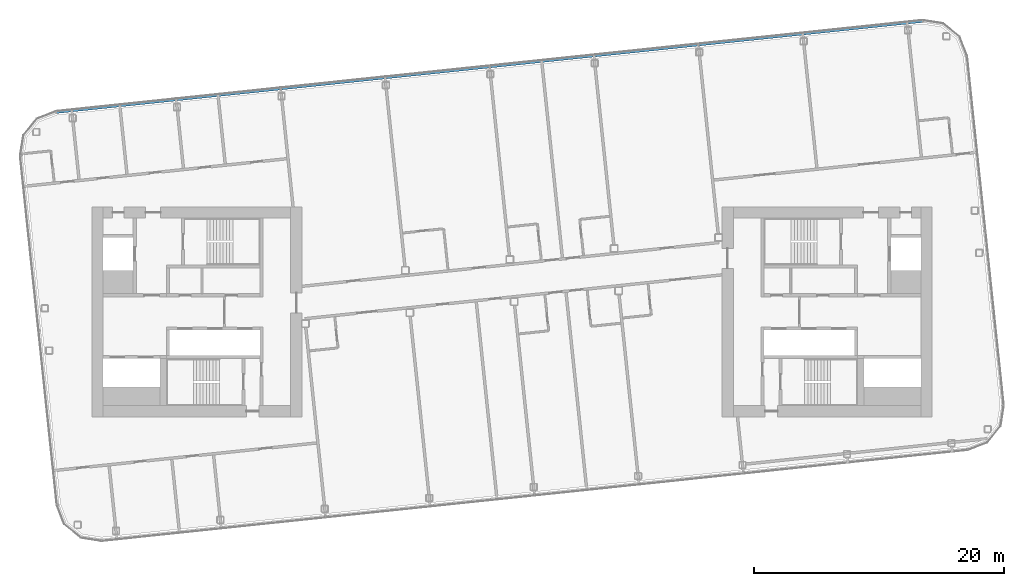
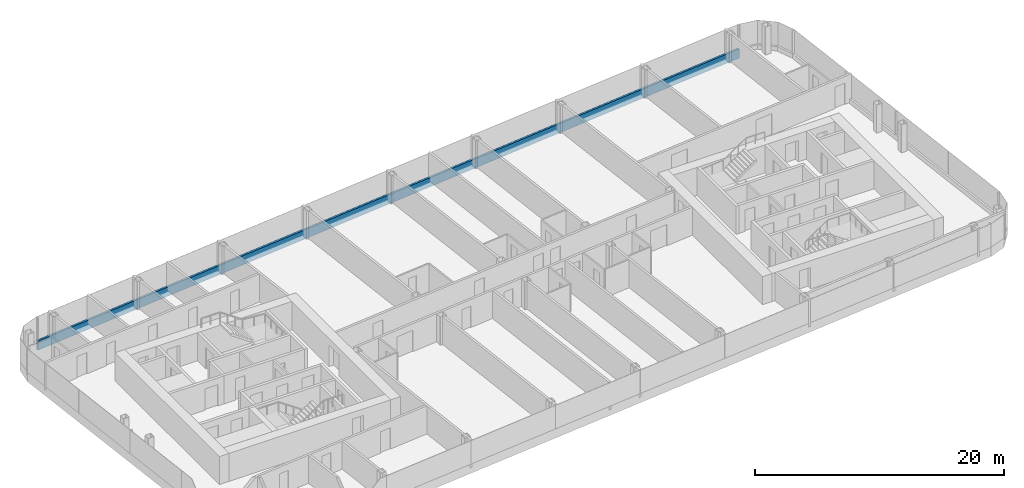
# One storey, part 10 of 27: 1 member, 1 element without a shape of its own.
"""IFC4 building model written with IfcOpenShell, lengths in metres."""

import ifcopenshell
import ifcopenshell.guid

model = None  # the IFC model being written
_history = None  # IfcOwnerHistory: only IFC2X3 demands one
_inside = {}  # id of a spatial element -> (the spatial element, [elements in it])
_under = {}  # id of a project, library or spatial element -> (it, [spatial elements below it])
_declared = {}  # id of a project -> (the project, [libraries it declares])
_typed = {}  # id of a type object -> (the type object, [elements of that type])
_made_of = {}  # id of a material, layer set ... -> (it, [elements and type objects made of it])


def new_model(schema):
    """Start an empty IFC model of exactly this schema.

    Asked for "IFC4X3", IfcOpenShell would pick the latest addendum, in which some entities
    have other attributes; the version numbers below select the first issue.
    IFC2X3 requires an IfcOwnerHistory on every rooted entity: one is made here for all.
    """
    global model, _history
    if schema == "IFC4X3":
        model = ifcopenshell.file(schema_version=(4, 3, 0, 0))
    else:
        model = ifcopenshell.file(schema=schema)
    _inside.clear()
    _under.clear()
    _declared.clear()
    _typed.clear()
    _made_of.clear()
    _history = None
    if model.schema == "IFC2X3":
        org = make("IfcOrganization", Name="unknown")
        user = make(
            "IfcPersonAndOrganization",
            ThePerson=make("IfcPerson", FamilyName="unknown"),
            TheOrganization=org,
        )
        app = make(
            "IfcApplication",
            ApplicationDeveloper=org,
            Version="unknown",
            ApplicationFullName="unknown",
            ApplicationIdentifier="unknown",
        )
        _history = make(
            "IfcOwnerHistory",
            OwningUser=user,
            OwningApplication=app,
            ChangeAction="ADDED",
            CreationDate=0,
        )
    return model


def make(cls, **values):
    """One entity of the class cls with the attributes given. An attribute that is None is left unset."""
    return model.create_entity(
        cls, **{name: value for name, value in values.items() if value is not None}
    )


def rooted(cls, **values):
    """An entity with a GlobalId (a new one), such as an element, a storey or a relation."""
    return make(cls, GlobalId=ifcopenshell.guid.new(), OwnerHistory=_history, **values)


def si_unit(unit_type, name, prefix=None):
    """IfcSIUnit, for example si_unit("LENGTHUNIT", "METRE", prefix="MILLI")."""
    return make("IfcSIUnit", UnitType=unit_type, Prefix=prefix, Name=name)


def assignment(units):
    """IfcUnitAssignment: the units of a project."""
    return None if units is None else make("IfcUnitAssignment", Units=units)


def point(xyz):
    """IfcCartesianPoint."""
    return None if xyz is None else make("IfcCartesianPoint", Coordinates=xyz)


def direction(xyz):
    """IfcDirection."""
    return None if xyz is None else make("IfcDirection", DirectionRatios=xyz)


def frame(location, z_axis=None, x_axis=None):
    """IfcAxis2Placement3D, a coordinate frame: its origin and axes. An axis left out is left unset."""
    return make(
        "IfcAxis2Placement3D",
        Location=point(location),
        Axis=direction(z_axis),
        RefDirection=direction(x_axis),
    )


def frame_2d(location, x_axis=None):
    """IfcAxis2Placement2D, a coordinate frame in the plane: its origin and x axis."""
    return make(
        "IfcAxis2Placement2D", Location=point(location), RefDirection=direction(x_axis)
    )


def origin():
    """The frame at (0, 0, 0) with its axes left unset."""
    return frame((0.0, 0.0, 0.0))


def origin_2d():
    """The frame at (0, 0) in the plane with its x axis left unset."""
    return frame_2d((0.0, 0.0))


def place(relative_to, where):
    """IfcLocalPlacement: puts the frame where relative to a parent placement (None: the world)."""
    return make(
        "IfcLocalPlacement", PlacementRelTo=relative_to, RelativePlacement=where
    )


def context(
    kind, dimensions, precision=None, world=None, true_north=None, identifier=None
):
    """IfcGeometricRepresentationContext, for example the 3D "Model" context."""
    return make(
        "IfcGeometricRepresentationContext",
        ContextIdentifier=identifier,
        ContextType=kind,
        CoordinateSpaceDimension=dimensions,
        Precision=precision,
        WorldCoordinateSystem=world,
        TrueNorth=true_north,
    )


def subcontext(parent, identifier, kind, view, scale=None):
    """IfcGeometricRepresentationSubContext, for example "Body" below "Model"."""
    return make(
        "IfcGeometricRepresentationSubContext",
        ContextIdentifier=identifier,
        ContextType=kind,
        ParentContext=parent,
        TargetScale=scale,
        TargetView=view,
    )


def project(units=None, contexts=None):
    """IfcProject with its units and contexts."""
    return rooted(
        "IfcProject",
        Name="project",
        RepresentationContexts=contexts,
        UnitsInContext=assignment(units),
    )


def spatial(cls, under=None, at=None, **own):
    """A site, building, storey or space (cls), placed at a placement, below another one or the project."""
    s = rooted(cls, ObjectPlacement=at, **own)
    if under is not None:
        _under.setdefault(under.id(), (under, []))[1].append(s)
    return s


def profile(cls, at=None, kind="AREA", **sizes):
    """A parametric profile (cls). Its sizes go by their IFC names, for example OverallWidth=200.0."""
    return make(cls, ProfileType=kind, Position=at, **sizes)


def rectangle(**sizes):
    """IfcRectangleProfileDef."""
    return profile("IfcRectangleProfileDef", **sizes)


def extrude(swept, where, along, depth):
    """IfcExtrudedAreaSolid: the profile swept, set in the frame where, extruded along a direction by depth."""
    return make(
        "IfcExtrudedAreaSolid",
        SweptArea=swept,
        Position=where,
        ExtrudedDirection=direction(along),
        Depth=depth,
    )


def shape(context_of_items, identifier, shape_type, items):
    """IfcShapeRepresentation: the items that make up one representation, for example the "Body"."""
    return make(
        "IfcShapeRepresentation",
        ContextOfItems=context_of_items,
        RepresentationIdentifier=identifier,
        RepresentationType=shape_type,
        Items=items,
    )


def material(Name=None, Category=None):
    """IfcMaterial."""
    return make("IfcMaterial", Name=Name, Category=Category)


def layer(
    of_material, thickness, ventilated=None, Name=None, Category=None, Priority=None
):
    """IfcMaterialLayer: one layer of a wall or slab, of a material (None: an air gap)."""
    return make(
        "IfcMaterialLayer",
        Material=of_material,
        LayerThickness=thickness,
        IsVentilated=ventilated,
        Name=Name,
        Category=Category,
        Priority=Priority,
    )


def layer_set(layers, Name=None):
    """IfcMaterialLayerSet."""
    return make("IfcMaterialLayerSet", MaterialLayers=layers, LayerSetName=Name)


def material_profile(
    of_material, cross_section, Name=None, Category=None, Priority=None
):
    """IfcMaterialProfile: a cross section and its material."""
    return make(
        "IfcMaterialProfile",
        Name=Name,
        Material=of_material,
        Profile=cross_section,
        Priority=Priority,
        Category=Category,
    )


def profile_set(profiles, Name=None, composite=None):
    """IfcMaterialProfileSet."""
    return make(
        "IfcMaterialProfileSet",
        Name=Name,
        MaterialProfiles=profiles,
        CompositeProfile=composite,
    )


def made_of(thing, what):
    """Note that an element or type object is made of a material, layer set ...; save() writes the relation."""
    if what is not None:
        _made_of.setdefault(what.id(), (what, []))[1].append(thing)
    return thing


def type_object(cls, material=None, **own):
    """A type object (cls), such as IfcWallType, which elements share."""
    return made_of(rooted(cls, **own), material)


def element(
    cls,
    number,
    at=None,
    inside=None,
    cuts=None,
    type_object=None,
    material=None,
    context=None,
    identifier="Body",
    shape_type=None,
    held_by="IfcProductDefinitionShape",
    body=None,
    shapes=None,
    **own,
):
    """One element of the class cls, such as IfcWall. Its Tag is "e" and its number.

    at: its placement. inside: the storey or other place that contains it. cuts: it is an
    opening in that element (IfcRelVoidsElement). A single representation is given by context,
    identifier, shape_type and body (its items); several are given by shapes. held_by: the class
    of the entity that holds the representations. save() writes the other relations.
    """
    e = rooted(cls, Tag="e%d" % number, ObjectPlacement=at, **own)
    if body is not None:
        shapes = [shape(context, identifier, shape_type, body)]
    if shapes is not None:
        e.Representation = make(held_by, Representations=shapes)
    if inside is not None:
        _inside.setdefault(inside.id(), (inside, []))[1].append(e)
    if cuts is not None:
        rooted(
            "IfcRelVoidsElement", RelatingBuildingElement=cuts, RelatedOpeningElement=e
        )
    if type_object is not None:
        _typed.setdefault(type_object.id(), (type_object, []))[1].append(e)
    return made_of(e, material)


def aggregate(whole, parts):
    """IfcRelAggregates: a whole, such as a stair, and the parts it consists of."""
    return rooted("IfcRelAggregates", RelatingObject=whole, RelatedObjects=parts)


def save(model, path):
    """Write the relations noted so far, then the file.

    IfcRelAggregates (storeys below a building ...), IfcRelContainedInSpatialStructure (elements
    in a storey), IfcRelDefinesByType, IfcRelAssociatesMaterial and IfcRelDeclares: one each for
    every whole, place, type object, material and project.
    """
    for whole, parts in _under.values():
        aggregate(whole, parts)
    for where, things in _inside.values():
        rooted(
            "IfcRelContainedInSpatialStructure",
            RelatedElements=things,
            RelatingStructure=where,
        )
    for kind, things in _typed.values():
        rooted("IfcRelDefinesByType", RelatedObjects=things, RelatingType=kind)
    for what, things in _made_of.values():
        rooted("IfcRelAssociatesMaterial", RelatedObjects=things, RelatingMaterial=what)
    for by, libraries in _declared.values():
        rooted("IfcRelDeclares", RelatingContext=by, RelatedDefinitions=libraries)
    model.write(path)


model = new_model("IFC4")

# Units and contexts
model_context = context("Model", 3, precision=1e-05, world=origin(), true_north=direction((0.0, 1.0)))
body_context = subcontext(model_context, "Body", "Model", "MODEL_VIEW")
ifc_project = project(units=[si_unit("LENGTHUNIT", "METRE"), si_unit("AREAUNIT", "SQUARE_METRE"), si_unit("VOLUMEUNIT", "CUBIC_METRE"), si_unit("PLANEANGLEUNIT", "RADIAN"), si_unit("MASSUNIT", "GRAM", prefix="KILO")], contexts=[model_context])

# Site, building, storey
site_placement = place(None, origin())
site = spatial("IfcSite", under=ifc_project, at=site_placement, CompositionType="ELEMENT")
building_placement = place(site_placement, origin())
building = spatial("IfcBuilding", under=site, at=building_placement, Name="Hakoniwa Tower and Hamabe Station Hall", CompositionType="ELEMENT")
storey_placement = place(building_placement, frame((0.0, 0.0, 248.60009765625)))
storey = spatial("IfcBuildingStorey", under=building, at=storey_placement, Name="L70", CompositionType="ELEMENT", Elevation=248.60009765625)

# Curtain wall, member
ifc_material_1 = material(Name="Dark low-e laminated glass", Category="glass")
ifc_layer = layer(ifc_material_1, 0.199951171875)
ifc_layer_set = layer_set([ifc_layer], Name="CW-1 UNITISED GUEST")
curtain_wall_type = type_object("IfcCurtainWallType", Name="CW-1 UNITISED GUEST", PredefinedType="NOTDEFINED", material=ifc_layer_set)
curtain_wall_placement = place(storey_placement, origin())
curtain_wall = element("IfcCurtainWall", 1, at=curtain_wall_placement, inside=storey, type_object=curtain_wall_type, Name="CW-1 curtain wall", PredefinedType="NOTDEFINED")
ifc_material_2 = material(Name="Aluminium 6063-T5 black anodised", Category="aluminium")
ifc_material_profile = material_profile(ifc_material_2, rectangle(XDim=0.199951171875, YDim=0.89990234375, at=origin_2d()), Name="CW SLAB-EDGE BAND 900X200")
ifc_profile_set = profile_set([ifc_material_profile], Name="Aluminium 6063-T5 black anodised")
member_type = type_object("IfcMemberType", Name="CW SLAB-EDGE BAND 900X200", PredefinedType="USERDEFINED", material=ifc_profile_set)
member_placement = place(storey_placement, frame((32.850830078125, 23.24755859375, -0.10009765625), z_axis=(-0.994521894037, -0.10452847593, 0.0), x_axis=(0.10452847593, -0.994521894037, 0.0)))
member = element("IfcMember", 2, at=member_placement, type_object=member_type, Name="CW-1 transom", ObjectType="TRANSOM", PredefinedType="USERDEFINED", context=body_context, shape_type="SweptSolid", body=[
    extrude(rectangle(XDim=0.199951171875, YDim=0.89990234375, at=origin_2d()), origin(), (0.0, 0.0, 1.0), 69.678955078125),
])
aggregate(curtain_wall, [member])

save(model, "model.ifc")
